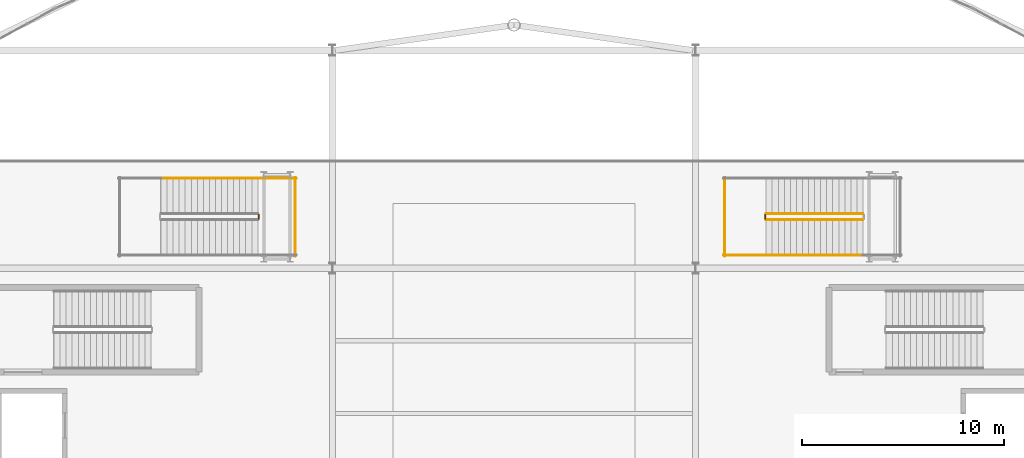
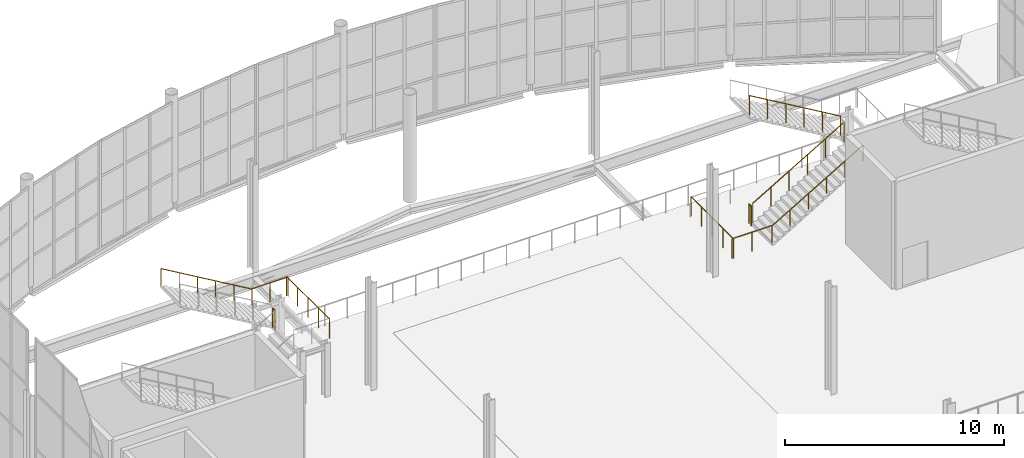
# One storey, part 185 of 191: 10 railings.
"""IFC4 building model written with IfcOpenShell, lengths in metres."""

from ifc_helpers import new_model, si_unit, direction, frame, origin, origin_2d, place, context, subcontext, project, spatial, circle, extrude, material, type_object, element, save


model = new_model("IFC4")

# Units and contexts
model_context = context("Model", 3, precision=1e-05, world=origin(), true_north=direction((0.0, 1.0)))
body_context = subcontext(model_context, "Body", "Model", "MODEL_VIEW")
ifc_project = project(units=[si_unit("LENGTHUNIT", "METRE"), si_unit("AREAUNIT", "SQUARE_METRE"), si_unit("VOLUMEUNIT", "CUBIC_METRE"), si_unit("PLANEANGLEUNIT", "RADIAN"), si_unit("MASSUNIT", "GRAM", prefix="KILO")], contexts=[model_context])

# Site, building, storey
site_placement = place(None, origin())
site = spatial("IfcSite", under=ifc_project, at=site_placement, CompositionType="ELEMENT")
building_placement = place(site_placement, origin())
building = spatial("IfcBuilding", under=site, at=building_placement, Name="Tamarisk Ironworks Central Station", CompositionType="ELEMENT")
storey_placement = place(building_placement, frame((0.0, 0.0, 6.60009765625)))
storey = spatial("IfcBuildingStorey", under=building, at=storey_placement, Name="L01", CompositionType="ELEMENT", Elevation=6.60009765625)

# Railings
ifc_material_1 = material(Name="Laminated solar-control low-E glass", Category="glass")
railing_type_1 = type_object("IfcRailingType", Name="RL-GUARD-GLASS", PredefinedType="BALUSTRADE", material=ifc_material_1)
railing_1_placement = place(storey_placement, frame((68.35009765625, 103.25, 3.0)))
element("IfcRailing", 1, at=railing_1_placement, inside=storey, type_object=railing_type_1, Name="L01 ST-MZ1 stair guard 2", PredefinedType="BALUSTRADE", context=body_context, shape_type="SweptSolid", body=[
    extrude(circle(Radius=0.02392578125, at=origin_2d()), frame((0.0, 0.0, 1.076171875), z_axis=(0.0, 1.0, 0.0), x_axis=(-1.0, 0.0, 0.0)), (0.0, 0.0, 1.0), 0.199951171875),
    extrude(circle(Radius=0.02099609375, at=origin_2d()), origin(), (0.0, 0.0, 1.0), 1.052001953125),
    extrude(circle(Radius=0.02099609375, at=origin_2d()), frame((0.0, 0.199951171875, 0.0)), (0.0, 0.0, 1.0), 1.052001953125),
])
railing_2_placement = place(storey_placement, frame((68.300048828125, 105.25, 3.0)))
element("IfcRailing", 2, at=railing_2_placement, inside=storey, type_object=railing_type_1, Name="L01 ST-MZ1 stair guard 4", PredefinedType="BALUSTRADE", context=body_context, shape_type="SweptSolid", body=[
    extrude(circle(Radius=0.02392578125, at=origin_2d()), frame((0.0, 0.0, 1.076171875), z_axis=(1.0, 0.0, 0.0), x_axis=(0.0, 1.0, 0.0)), (0.0, 0.0, 1.0), 1.89990234375),
    extrude(circle(Radius=0.02099609375, at=origin_2d()), origin(), (0.0, 0.0, 1.0), 1.052001953125),
    extrude(circle(Radius=0.02099609375, at=origin_2d()), frame((0.949951171875, 0.0, 0.0)), (0.0, 0.0, 1.0), 1.052001953125),
    extrude(circle(Radius=0.02099609375, at=origin_2d()), frame((1.89990234375, 0.0, 0.0)), (0.0, 0.0, 1.0), 1.052001953125),
])
railing_3_placement = place(storey_placement, frame((70.14990234375, 101.39990234375, 3.0)))
element("IfcRailing", 3, at=railing_3_placement, inside=storey, type_object=railing_type_1, Name="L01 ST-MZ1 stair guard 5", PredefinedType="BALUSTRADE", context=body_context, shape_type="SweptSolid", body=[
    extrude(circle(Radius=0.02392578125, at=origin_2d()), frame((0.0, 0.0, 1.076171875), z_axis=(0.0, 1.0, 0.0), x_axis=(-1.0, 0.0, 0.0)), (0.0, 0.0, 1.0), 3.900146484375),
    extrude(circle(Radius=0.02099609375, at=origin_2d()), origin(), (0.0, 0.0, 1.0), 1.052001953125),
    extrude(circle(Radius=0.02099609375, at=origin_2d()), frame((0.0, 0.97509765625, 0.0)), (0.0, 0.0, 1.0), 1.052001953125),
    extrude(circle(Radius=0.02099609375, at=origin_2d()), frame((0.0, 1.9501953125, 0.0)), (0.0, 0.0, 1.0), 1.052001953125),
    extrude(circle(Radius=0.02099609375, at=origin_2d()), frame((0.0, 2.925048828125, 0.0)), (0.0, 0.0, 1.0), 1.052001953125),
    extrude(circle(Radius=0.02099609375, at=origin_2d()), frame((0.0, 3.900146484375, 0.0)), (0.0, 0.0, 1.0), 1.052001953125),
])
railing_4_placement = place(storey_placement, frame((93.5, 103.199951171875, 0.17626953125)))
element("IfcRailing", 4, at=railing_4_placement, inside=storey, type_object=railing_type_1, Name="L01 ST-MZ2 stair guard 1", PredefinedType="BALUSTRADE", context=body_context, shape_type="SweptSolid", body=[
    extrude(circle(Radius=0.02392578125, at=origin_2d()), frame((0.0, 0.0, 1.076171875), z_axis=(0.861920691219, 0.0, 0.507043116558), x_axis=(0.0, 1.0, 0.0)), (0.0, 0.0, 1.0), 5.569091796875),
    extrude(circle(Radius=0.02099609375, at=origin_2d()), origin(), (0.0, 0.0, 1.0), 1.052001953125),
    extrude(circle(Radius=0.02099609375, at=origin_2d()), frame((0.9599609375, 0.0, 0.564697265625)), (0.0, 0.0, 1.0), 1.052001953125),
    extrude(circle(Radius=0.02099609375, at=origin_2d()), frame((1.919921875, 0.0, 1.12939453125)), (0.0, 0.0, 1.0), 1.052001953125),
    extrude(circle(Radius=0.02099609375, at=origin_2d()), frame((2.880126953125, 0.0, 1.6943359375)), (0.0, 0.0, 1.0), 1.052001953125),
    extrude(circle(Radius=0.02099609375, at=origin_2d()), frame((3.840087890625, 0.0, 2.259033203125)), (0.0, 0.0, 1.0), 1.052001953125),
    extrude(circle(Radius=0.02099609375, at=origin_2d()), frame((4.800048828125, 0.0, 2.82373046875)), (0.0, 0.0, 1.0), 1.052001953125),
])
railing_5_placement = place(storey_placement, frame((98.300048828125, 103.5, 3.17626953125)))
element("IfcRailing", 5, at=railing_5_placement, inside=storey, type_object=railing_type_1, Name="L01 ST-MZ2 stair guard 6", PredefinedType="BALUSTRADE", context=body_context, shape_type="SweptSolid", body=[
    extrude(circle(Radius=0.02392578125, at=origin_2d()), frame((0.0, 0.0, 1.076171875), z_axis=(-0.861920691219, 0.0, 0.507043116558), x_axis=(0.0, -1.0, 0.0)), (0.0, 0.0, 1.0), 5.569091796875),
    extrude(circle(Radius=0.02099609375, at=origin_2d()), origin(), (0.0, 0.0, 1.0), 1.052001953125),
    extrude(circle(Radius=0.02099609375, at=origin_2d()), frame((-0.9599609375, 0.0, 0.564697265625)), (0.0, 0.0, 1.0), 1.052001953125),
    extrude(circle(Radius=0.02099609375, at=origin_2d()), frame((-1.919921875, 0.0, 1.12939453125)), (0.0, 0.0, 1.0), 1.052001953125),
    extrude(circle(Radius=0.02099609375, at=origin_2d()), frame((-2.880126953125, 0.0, 1.6943359375)), (0.0, 0.0, 1.0), 1.052001953125),
    extrude(circle(Radius=0.02099609375, at=origin_2d()), frame((-3.840087890625, 0.0, 2.259033203125)), (0.0, 0.0, 1.0), 1.052001953125),
    extrude(circle(Radius=0.02099609375, at=origin_2d()), frame((-4.800048828125, 0.0, 2.82373046875)), (0.0, 0.0, 1.0), 1.052001953125),
])
railing_6_placement = place(storey_placement, frame((93.449951171875, 103.25, 0.0)))
element("IfcRailing", 6, at=railing_6_placement, inside=storey, type_object=railing_type_1, Name="L01 ST-MZ2 stair guard 7", PredefinedType="BALUSTRADE", context=body_context, shape_type="SweptSolid", body=[
    extrude(circle(Radius=0.02392578125, at=origin_2d()), frame((0.0, 0.0, 1.076171875), z_axis=(0.0, 1.0, 0.0), x_axis=(-1.0, 0.0, 0.0)), (0.0, 0.0, 1.0), 0.199951171875),
    extrude(circle(Radius=0.02099609375, at=origin_2d()), origin(), (0.0, 0.0, 1.0), 1.052001953125),
    extrude(circle(Radius=0.02099609375, at=origin_2d()), frame((0.0, 0.199951171875, 0.0)), (0.0, 0.0, 1.0), 1.052001953125),
])
railing_7_placement = place(storey_placement, frame((91.39990234375, 101.449951171875, 0.0)))
element("IfcRailing", 7, at=railing_7_placement, inside=storey, type_object=railing_type_1, Name="L01 ST-MZ2 stair guard 8", PredefinedType="BALUSTRADE", context=body_context, shape_type="SweptSolid", body=[
    extrude(circle(Radius=0.02392578125, at=origin_2d()), frame((0.0, 0.0, 1.076171875), z_axis=(1.0, 0.0, 0.0), x_axis=(0.0, 1.0, 0.0)), (0.0, 0.0, 1.0), 2.10009765625),
    extrude(circle(Radius=0.02099609375, at=origin_2d()), origin(), (0.0, 0.0, 1.0), 1.052001953125),
    extrude(circle(Radius=0.02099609375, at=origin_2d()), frame((1.050048828125, 0.0, 0.0)), (0.0, 0.0, 1.0), 1.052001953125),
    extrude(circle(Radius=0.02099609375, at=origin_2d()), frame((2.10009765625, 0.0, 0.0)), (0.0, 0.0, 1.0), 1.052001953125),
])
railing_8_placement = place(storey_placement, frame((91.449951171875, 101.39990234375, 0.0)))
element("IfcRailing", 8, at=railing_8_placement, inside=storey, type_object=railing_type_1, Name="L01 ST-MZ2 stair guard 10", PredefinedType="BALUSTRADE", context=body_context, shape_type="SweptSolid", body=[
    extrude(circle(Radius=0.02392578125, at=origin_2d()), frame((0.0, 0.0, 1.076171875), z_axis=(0.0, 1.0, 0.0), x_axis=(-1.0, 0.0, 0.0)), (0.0, 0.0, 1.0), 3.900146484375),
    extrude(circle(Radius=0.02099609375, at=origin_2d()), origin(), (0.0, 0.0, 1.0), 1.052001953125),
    extrude(circle(Radius=0.02099609375, at=origin_2d()), frame((0.0, 0.97509765625, 0.0)), (0.0, 0.0, 1.0), 1.052001953125),
    extrude(circle(Radius=0.02099609375, at=origin_2d()), frame((0.0, 1.9501953125, 0.0)), (0.0, 0.0, 1.0), 1.052001953125),
    extrude(circle(Radius=0.02099609375, at=origin_2d()), frame((0.0, 2.925048828125, 0.0)), (0.0, 0.0, 1.0), 1.052001953125),
    extrude(circle(Radius=0.02099609375, at=origin_2d()), frame((0.0, 3.900146484375, 0.0)), (0.0, 0.0, 1.0), 1.052001953125),
])
ifc_material_2 = material(Name="Brushed stainless steel AISI 316", Category="steel")
railing_type_2 = type_object("IfcRailingType", Name="RL-HAND", PredefinedType="HANDRAIL", material=ifc_material_2)
railing_9_placement = place(storey_placement, frame((68.300048828125, 105.25, 3.17626953125)))
element("IfcRailing", 9, at=railing_9_placement, inside=storey, type_object=railing_type_2, Name="L01 ST-MZ1 stair handrail 2", PredefinedType="HANDRAIL", context=body_context, shape_type="SweptSolid", body=[
    extrude(circle(Radius=0.02392578125, at=origin_2d()), frame((0.0, 0.0, 0.8759765625), z_axis=(-0.861920691219, 0.0, 0.507043116558), x_axis=(0.0, -1.0, 0.0)), (0.0, 0.0, 1.0), 5.569091796875),
    extrude(circle(Radius=0.02099609375, at=origin_2d()), origin(), (0.0, 0.0, 1.0), 0.851806640625),
    extrude(circle(Radius=0.02099609375, at=origin_2d()), frame((-0.9599609375, 0.0, 0.564697265625)), (0.0, 0.0, 1.0), 0.851806640625),
    extrude(circle(Radius=0.02099609375, at=origin_2d()), frame((-1.919921875, 0.0, 1.12939453125)), (0.0, 0.0, 1.0), 0.851806640625),
    extrude(circle(Radius=0.02099609375, at=origin_2d()), frame((-2.880126953125, 0.0, 1.6943359375)), (0.0, 0.0, 1.0), 0.851806640625),
    extrude(circle(Radius=0.02099609375, at=origin_2d()), frame((-3.840087890625, 0.0, 2.259033203125)), (0.0, 0.0, 1.0), 0.851806640625),
    extrude(circle(Radius=0.02099609375, at=origin_2d()), frame((-4.800048828125, 0.0, 2.82373046875)), (0.0, 0.0, 1.0), 0.851806640625),
])
railing_10_placement = place(storey_placement, frame((93.5, 101.449951171875, 0.17626953125)))
element("IfcRailing", 10, at=railing_10_placement, inside=storey, type_object=railing_type_2, Name="L01 ST-MZ2 stair handrail 1", PredefinedType="HANDRAIL", context=body_context, shape_type="SweptSolid", body=[
    extrude(circle(Radius=0.02392578125, at=origin_2d()), frame((0.0, 0.0, 0.8759765625), z_axis=(0.861920691219, 0.0, 0.507043116558), x_axis=(0.0, 1.0, 0.0)), (0.0, 0.0, 1.0), 5.569091796875),
    extrude(circle(Radius=0.02099609375, at=origin_2d()), origin(), (0.0, 0.0, 1.0), 0.851806640625),
    extrude(circle(Radius=0.02099609375, at=origin_2d()), frame((0.9599609375, 0.0, 0.564697265625)), (0.0, 0.0, 1.0), 0.851806640625),
    extrude(circle(Radius=0.02099609375, at=origin_2d()), frame((1.919921875, 0.0, 1.12939453125)), (0.0, 0.0, 1.0), 0.851806640625),
    extrude(circle(Radius=0.02099609375, at=origin_2d()), frame((2.880126953125, 0.0, 1.6943359375)), (0.0, 0.0, 1.0), 0.851806640625),
    extrude(circle(Radius=0.02099609375, at=origin_2d()), frame((3.840087890625, 0.0, 2.259033203125)), (0.0, 0.0, 1.0), 0.851806640625),
    extrude(circle(Radius=0.02099609375, at=origin_2d()), frame((4.800048828125, 0.0, 2.82373046875)), (0.0, 0.0, 1.0), 0.851806640625),
])

save(model, "model.ifc")
